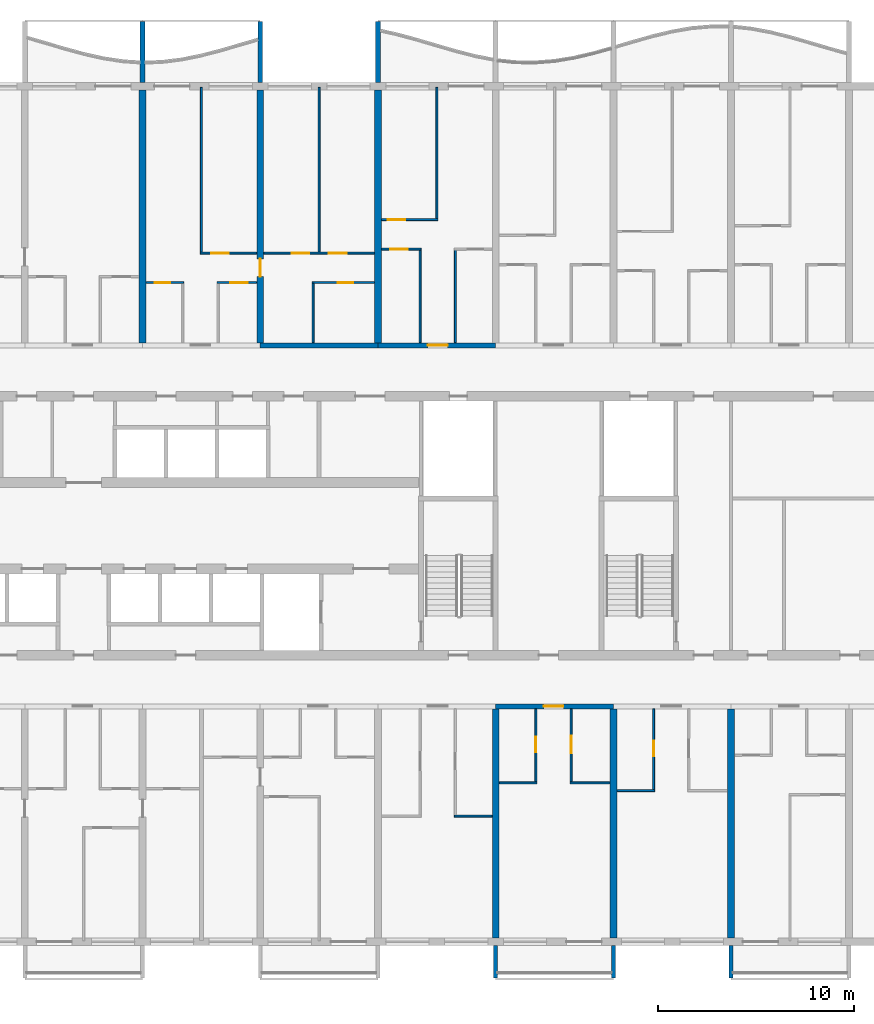
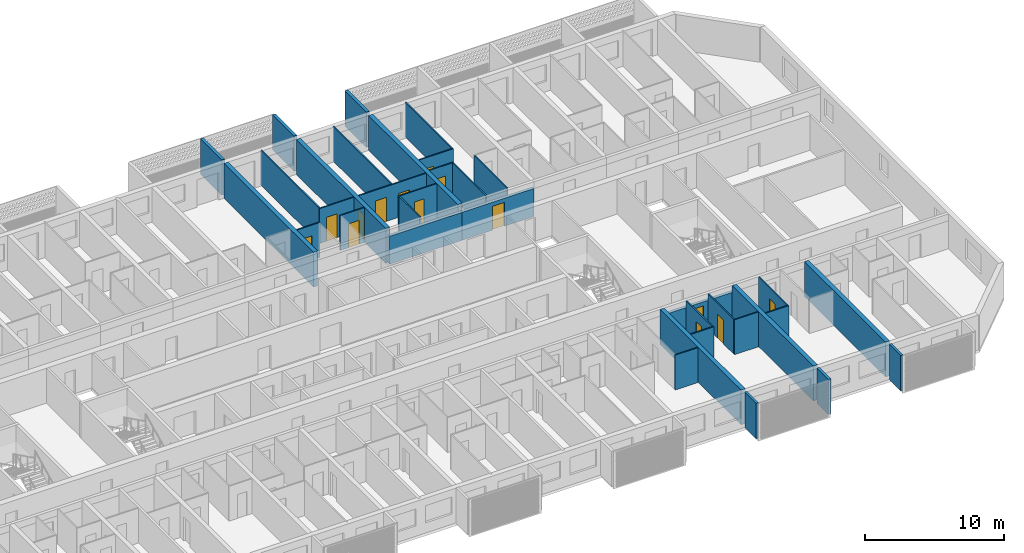
# One storey, part 13 of 26: 35 walls, 14 doors, 14 openings.
"""IFC4 building model written with IfcOpenShell, lengths in metres."""

from ifc_helpers import new_model, si_unit, direction, frame, frame_2d, origin, place, context, subcontext, project, spatial, polyline, rectangle, outline, extrude, source, transform, mapped, material, layer, layer_set, type_object, element, fill, save


model = new_model("IFC4")

# Units and contexts
model_context = context("Model", 3, precision=1e-05, world=origin(), true_north=direction((0.0, 1.0)))
body_context = subcontext(model_context, "Body", "Model", "MODEL_VIEW")
ifc_project = project(units=[si_unit("LENGTHUNIT", "METRE"), si_unit("AREAUNIT", "SQUARE_METRE"), si_unit("VOLUMEUNIT", "CUBIC_METRE"), si_unit("PLANEANGLEUNIT", "RADIAN"), si_unit("MASSUNIT", "GRAM", prefix="KILO")], contexts=[model_context])

# Site, building, storey
site_placement = place(None, origin())
site = spatial("IfcSite", under=ifc_project, at=site_placement, CompositionType="ELEMENT")
building_placement = place(site_placement, origin())
building = spatial("IfcBuilding", under=site, at=building_placement, Name="Poui Terraces", CompositionType="ELEMENT")
storey_placement = place(building_placement, frame((0.0, 0.0, 96.0)))
storey = spatial("IfcBuildingStorey", under=building, at=storey_placement, Name="L26", CompositionType="ELEMENT", Elevation=96.0)

# Wall, opening, door
ifc_material_1 = material(Name="Concrete 65 MPa", Category="concrete")
ifc_layer_1 = layer(ifc_material_1, 0.25)
ifc_layer_set_1 = layer_set([ifc_layer_1], Name="Concrete 65 MPa")
wall_type_1 = type_object("IfcWallType", Name="CORRIDOR WALL 250 65MPa", PredefinedType="SHEAR", material=ifc_layer_set_1)
wall_1_placement = place(storey_placement, frame((72.0, 12.0, 0.0), z_axis=(0.0, 0.0, 1.0), x_axis=(1.0, 0.0, 0.0)))
wall_1 = element("IfcWall", 1, at=wall_1_placement, inside=storey, type_object=wall_type_1, Name="CORRIDOR WALL LINE B BAY 12", PredefinedType="SHEAR", context=body_context, shape_type="SweptSolid", body=[
    extrude(rectangle(XDim=6.0, YDim=0.25, at=frame_2d((3.0, 0.0))), origin(), (0.0, 0.0, 1.0), 2.4599609375),
])
opening_1_placement = place(wall_1_placement, frame((2.449951171875, 0.0, 0.0)))
opening_1 = element("IfcOpeningElement", 2, at=opening_1_placement, cuts=wall_1, Name="Opening FD30S", PredefinedType="OPENING", context=body_context, shape_type="SweptSolid", body=[
    extrude(rectangle(XDim=1.0, YDim=2.10009765625, at=frame_2d((0.5, 1.050048828125))), frame((0.0, 0.135009765625, 0.0), z_axis=(0.0, -1.0, 0.0), x_axis=(1.0, 0.0, 0.0)), (0.0, 0.0, 1.0), 0.27001953125),
])
ifc_material_2 = material(Name="Steel fire door", Category="steel")
door_type_1 = type_object("IfcDoorType", Name="FLAT ENTRANCE DOOR 1000 X 2100", OperationType="NOTDEFINED", PredefinedType="DOOR", material=ifc_material_2)
door_1_placement = place(opening_1_placement, frame((1.0, 0.0, 0.0), z_axis=(0.0, 0.0, 1.0), x_axis=(-1.0, 0.0, 0.0)))
door_1 = element("IfcDoor", 3, at=door_1_placement, inside=storey, type_object=door_type_1, Name="FLAT ENTRANCE DOOR 122", OperationType="SINGLE_SWING_RIGHT", OverallHeight=2.10009765625, OverallWidth=1.0, PredefinedType="DOOR", context=body_context, shape_type="SweptSolid", body=[
    extrude(rectangle(XDim=1.0, YDim=2.10009765625, at=frame_2d((0.5, 1.050048828125))), frame((0.0, 0.02490234375, 0.0), z_axis=(0.0, -1.0, 0.0), x_axis=(1.0, 0.0, 0.0)), (0.0, 0.0, 1.0), 0.050048828125),
])
fill(opening_1, door_1)

# Wall
wall_2_placement = place(storey_placement, frame((60.0, 30.39990234375, 0.0), z_axis=(0.0, 0.0, 1.0), x_axis=(1.0, 0.0, 0.0)))
element("IfcWall", 4, at=wall_2_placement, inside=storey, type_object=wall_type_1, Name="CORRIDOR WALL LINE E BAY 10", PredefinedType="SHEAR", context=body_context, shape_type="SweptSolid", body=[
    extrude(rectangle(XDim=6.0, YDim=0.25, at=frame_2d((3.0, 0.0))), origin(), (0.0, 0.0, 1.0), 2.4599609375),
])

# Wall, opening, door
wall_3_placement = place(storey_placement, frame((66.0, 30.39990234375, 0.0), z_axis=(0.0, 0.0, 1.0), x_axis=(1.0, 0.0, 0.0)))
wall_3 = element("IfcWall", 5, at=wall_3_placement, inside=storey, type_object=wall_type_1, Name="CORRIDOR WALL LINE E BAY 11", PredefinedType="SHEAR", context=body_context, shape_type="SweptSolid", body=[
    extrude(rectangle(XDim=6.0, YDim=0.25, at=frame_2d((3.0, 0.0))), origin(), (0.0, 0.0, 1.0), 2.4599609375),
])
opening_2_placement = place(wall_3_placement, frame((2.550048828125, 0.0, 0.0)))
opening_2 = element("IfcOpeningElement", 6, at=opening_2_placement, cuts=wall_3, Name="Opening FD30S", PredefinedType="OPENING", context=body_context, shape_type="SweptSolid", body=[
    extrude(rectangle(XDim=1.0, YDim=2.10009765625, at=frame_2d((0.5, 1.050048828125))), frame((0.0, 0.135009765625, 0.0), z_axis=(0.0, -1.0, 0.0), x_axis=(1.0, 0.0, 0.0)), (0.0, 0.0, 1.0), 0.27001953125),
])
door_2_placement = place(opening_2_placement, origin())
door_2 = element("IfcDoor", 7, at=door_2_placement, inside=storey, type_object=door_type_1, Name="FLAT ENTRANCE DOOR 068", OperationType="SINGLE_SWING_RIGHT", OverallHeight=2.10009765625, OverallWidth=1.0, PredefinedType="DOOR", context=body_context, shape_type="SweptSolid", body=[
    extrude(rectangle(XDim=1.0, YDim=2.10009765625, at=frame_2d((0.5, 1.050048828125))), frame((0.0, 0.02490234375, 0.0), z_axis=(0.0, -1.0, 0.0), x_axis=(1.0, 0.0, 0.0)), (0.0, 0.0, 1.0), 0.050048828125),
])
fill(opening_2, door_2)

# Wall
ifc_layer_2 = layer(ifc_material_1, 0.35009765625)
ifc_layer_set_2 = layer_set([ifc_layer_2], Name="Concrete 65 MPa")
wall_type_2 = type_object("IfcWallType", Name="CROSS WALL 350 65MPa", PredefinedType="SHEAR", material=ifc_layer_set_2)
wall_4_placement = place(storey_placement, frame((54.0, 30.52490234375, 0.0), z_axis=(0.0, 0.0, 1.0), x_axis=(0.0, 1.0, 0.0)))
element("IfcWall", 8, at=wall_4_placement, inside=storey, type_object=wall_type_2, Name="CROSS WALL LINE 10 NORTH", PredefinedType="SHEAR", context=body_context, shape_type="SweptSolid", body=[
    extrude(rectangle(XDim=12.875, YDim=0.35009765625, at=frame_2d((6.4375, 0.0))), origin(), (0.0, 0.0, 1.0), 3.06005859375),
])

# Wall, opening, door
wall_5_placement = place(storey_placement, frame((60.0, 30.52490234375, 0.0), z_axis=(0.0, 0.0, 1.0), x_axis=(0.0, 1.0, 0.0)))
wall_5 = element("IfcWall", 9, at=wall_5_placement, inside=storey, type_object=wall_type_2, Name="CROSS WALL LINE 11 NORTH", PredefinedType="SHEAR", context=body_context, shape_type="SweptSolid", body=[
    extrude(rectangle(XDim=12.875, YDim=0.35009765625, at=frame_2d((6.4375, 0.0))), origin(), (0.0, 0.0, 1.0), 3.06005859375),
])
opening_3_placement = place(wall_5_placement, frame((3.375, 0.0, 0.0)))
opening_3 = element("IfcOpeningElement", 10, at=opening_3_placement, cuts=wall_5, Name="Opening D90", PredefinedType="OPENING", context=body_context, shape_type="SweptSolid", body=[
    extrude(rectangle(XDim=0.89990234375, YDim=2.10009765625, at=frame_2d((0.449951171875, 1.050048828125))), frame((0.0, 0.18505859375, 0.0), z_axis=(0.0, -1.0, 0.0), x_axis=(1.0, 0.0, 0.0)), (0.0, 0.0, 1.0), 0.3701171875),
])
ifc_material_3 = material(Name="Solid core timber door", Category="wood")
door_type_2 = type_object("IfcDoorType", Name="INTERNAL DOOR 900 X 2100", OperationType="NOTDEFINED", PredefinedType="DOOR", material=ifc_material_3)
door_3_placement = place(opening_3_placement, origin())
door_3 = element("IfcDoor", 11, at=door_3_placement, inside=storey, type_object=door_type_2, Name="INTERNAL DOOR 065", OperationType="SINGLE_SWING_LEFT", OverallHeight=2.10009765625, OverallWidth=0.89990234375, PredefinedType="DOOR", context=body_context, shape_type="SweptSolid", body=[
    extrude(rectangle(XDim=0.89990234375, YDim=2.10009765625, at=frame_2d((0.449951171875, 1.050048828125))), frame((0.0, 0.02490234375, 0.0), z_axis=(0.0, -1.0, 0.0), x_axis=(1.0, 0.0, 0.0)), (0.0, 0.0, 1.0), 0.050048828125),
])
fill(opening_3, door_3)

# Walls
wall_6_placement = place(storey_placement, frame((66.0, 30.52490234375, 0.0), z_axis=(0.0, 0.0, 1.0), x_axis=(0.0, 1.0, 0.0)))
element("IfcWall", 12, at=wall_6_placement, inside=storey, type_object=wall_type_2, Name="CROSS WALL LINE 12 NORTH", PredefinedType="SHEAR", context=body_context, shape_type="SweptSolid", body=[
    extrude(rectangle(XDim=12.875, YDim=0.35009765625, at=frame_2d((6.4375, 0.0))), origin(), (0.0, 0.0, 1.0), 3.06005859375),
])
for number, where, z_axis, x_axis, name in (
    (13, (72.0, 0.199951171875, 0.0), (0.0, 0.0, 1.0), (0.0, 1.0, 0.0), "CROSS WALL LINE 13 SOUTH"),
    (14, (78.0, 0.199951171875, 0.0), (0.0, 0.0, 1.0), (0.0, 1.0, 0.0), "CROSS WALL LINE 14 SOUTH"),
    (15, (84.0, 0.199951171875, 0.0), (0.0, 0.0, 1.0), (0.0, 1.0, 0.0), "CROSS WALL LINE 15 SOUTH"),
):
    element("IfcWall", number, at=place(storey_placement, frame(where, z_axis=z_axis, x_axis=x_axis)), inside=storey, type_object=wall_type_2, Name=name, PredefinedType="SHEAR", context=body_context, shape_type="SweptSolid", body=[
        extrude(rectangle(XDim=11.675048828125, YDim=0.35009765625, at=frame_2d((5.83740234375, 0.0))), origin(), (0.0, 0.0, 1.0), 3.06005859375),
    ])
ifc_material_4 = material(Name="Plasterboard partition")
ifc_layer_3 = layer(ifc_material_4, 0.10009765625)
ifc_layer_set_3 = layer_set([ifc_layer_3], Name="Plasterboard partition")
wall_type_3 = type_object("IfcWallType", Name="FLAT PARTITION 100", PredefinedType="PARTITIONING", material=ifc_layer_set_3)
for number, where, z_axis, x_axis, name in (
    (16, (69.89990234375, 6.39990234375, 0.0), (0.0, 0.0, 1.0), (1.0, 0.0, 0.0), "FLAT PARTITION 100"),
    (17, (78.18505859375, 7.699951171875, 0.0), (0.0, 0.0, 1.0), (1.0, 0.0, 0.0), "FLAT PARTITION 100"),
    (18, (72.18505859375, 8.10009765625, 0.0), (0.0, 0.0, 1.0), (1.0, 0.0, 0.0), "FLAT PARTITION 100"),
):
    element("IfcWall", number, at=place(storey_placement, frame(where, z_axis=z_axis, x_axis=x_axis)), inside=storey, type_object=wall_type_3, Name=name, PredefinedType="PARTITIONING", context=body_context, shape_type="SweptSolid", body=[
        extrude(rectangle(XDim=1.9150390625, YDim=0.10009765625, at=frame_2d((0.95751953125, 0.0))), origin(), (0.0, 0.0, 1.0), 3.06005859375),
    ])
wall_7_placement = place(storey_placement, frame((75.800048828125, 8.10009765625, 0.0), z_axis=(0.0, 0.0, 1.0), x_axis=(1.0, 0.0, 0.0)))
element("IfcWall", 19, at=wall_7_placement, inside=storey, type_object=wall_type_3, Name="FLAT PARTITION 100", PredefinedType="PARTITIONING", context=body_context, shape_type="SweptSolid", body=[
    extrude(rectangle(XDim=2.014892578125, YDim=0.10009765625, at=frame_2d((1.00732421875, 0.0))), origin(), (0.0, 0.0, 1.0), 3.06005859375),
])

# Wall, opening, door
wall_8_placement = place(storey_placement, frame((54.18505859375, 33.60009765625, 0.0), z_axis=(0.0, 0.0, 1.0), x_axis=(1.0, 0.0, 0.0)))
wall_8 = element("IfcWall", 20, at=wall_8_placement, inside=storey, type_object=wall_type_3, Name="FLAT PARTITION 100", PredefinedType="PARTITIONING", context=body_context, shape_type="SweptSolid", body=[
    extrude(rectangle(XDim=1.9150390625, YDim=0.10009765625, at=frame_2d((0.95751953125, 0.0))), origin(), (0.0, 0.0, 1.0), 3.06005859375),
])
opening_4_placement = place(wall_8_placement, frame((0.43994140625, 0.0, 0.0)))
opening_4 = element("IfcOpeningElement", 21, at=opening_4_placement, cuts=wall_8, Name="Opening D80", PredefinedType="OPENING", context=body_context, shape_type="SweptSolid", body=[
    extrude(rectangle(XDim=0.800048828125, YDim=2.10009765625, at=frame_2d((0.39990234375, 1.050048828125))), frame((0.0, 0.06005859375, 0.0), z_axis=(0.0, -1.0, 0.0), x_axis=(1.0, 0.0, 0.0)), (0.0, 0.0, 1.0), 0.1201171875),
])
door_type_3 = type_object("IfcDoorType", Name="BATHROOM, LAUNDRY AND STORE DOOR 800 X 2100", OperationType="NOTDEFINED", PredefinedType="DOOR", material=ifc_material_3)
door_4_placement = place(opening_4_placement, frame((0.800048828125, 0.0, 0.0), z_axis=(0.0, 0.0, 1.0), x_axis=(-1.0, 0.0, 0.0)))
door_4 = element("IfcDoor", 22, at=door_4_placement, inside=storey, type_object=door_type_3, Name="BATHROOM, LAUNDRY AND STORE DOOR 061", OperationType="SINGLE_SWING_LEFT", OverallHeight=2.10009765625, OverallWidth=0.800048828125, PredefinedType="DOOR", context=body_context, shape_type="SweptSolid", body=[
    extrude(rectangle(XDim=0.800048828125, YDim=2.10009765625, at=frame_2d((0.39990234375, 1.050048828125))), frame((0.0, 0.02490234375, 0.0), z_axis=(0.0, -1.0, 0.0), x_axis=(1.0, 0.0, 0.0)), (0.0, 0.0, 1.0), 0.050048828125),
])
fill(opening_4, door_4)

wall_9_placement = place(storey_placement, frame((57.800048828125, 33.60009765625, 0.0), z_axis=(0.0, 0.0, 1.0), x_axis=(1.0, 0.0, 0.0)))
wall_9 = element("IfcWall", 23, at=wall_9_placement, inside=storey, type_object=wall_type_3, Name="FLAT PARTITION 100", PredefinedType="PARTITIONING", context=body_context, shape_type="SweptSolid", body=[
    extrude(rectangle(XDim=2.014892578125, YDim=0.10009765625, at=frame_2d((1.00732421875, 0.0))), origin(), (0.0, 0.0, 1.0), 3.06005859375),
])
opening_5_placement = place(wall_9_placement, frame((0.675048828125, 0.0, 0.0)))
opening_5 = element("IfcOpeningElement", 24, at=opening_5_placement, cuts=wall_9, Name="Opening D90", PredefinedType="OPENING", context=body_context, shape_type="SweptSolid", body=[
    extrude(rectangle(XDim=0.89990234375, YDim=2.10009765625, at=frame_2d((0.449951171875, 1.050048828125))), frame((0.0, 0.06005859375, 0.0), z_axis=(0.0, -1.0, 0.0), x_axis=(1.0, 0.0, 0.0)), (0.0, 0.0, 1.0), 0.1201171875),
])
door_5_placement = place(opening_5_placement, frame((0.89990234375, 0.0, 0.0), z_axis=(0.0, 0.0, 1.0), x_axis=(-1.0, 0.0, 0.0)))
door_5 = element("IfcDoor", 25, at=door_5_placement, inside=storey, type_object=door_type_2, Name="INTERNAL DOOR 064", OperationType="SINGLE_SWING_RIGHT", OverallHeight=2.10009765625, OverallWidth=0.89990234375, PredefinedType="DOOR", context=body_context, shape_type="SweptSolid", body=[
    extrude(rectangle(XDim=0.89990234375, YDim=2.10009765625, at=frame_2d((0.449951171875, 1.050048828125))), frame((0.0, 0.02490234375, 0.0), z_axis=(0.0, -1.0, 0.0), x_axis=(1.0, 0.0, 0.0)), (0.0, 0.0, 1.0), 0.050048828125),
])
fill(opening_5, door_5)

wall_10_placement = place(storey_placement, frame((62.64990234375, 33.60009765625, 0.0), z_axis=(0.0, 0.0, 1.0), x_axis=(1.0, 0.0, 0.0)))
wall_10 = element("IfcWall", 26, at=wall_10_placement, inside=storey, type_object=wall_type_3, Name="FLAT PARTITION 100", PredefinedType="PARTITIONING", context=body_context, shape_type="SweptSolid", body=[
    extrude(rectangle(XDim=3.1650390625, YDim=0.10009765625, at=frame_2d((1.58251953125, 0.0))), origin(), (0.0, 0.0, 1.0), 3.06005859375),
])
opening_6_placement = place(wall_10_placement, frame((1.300048828125, 0.0, 0.0)))
opening_6 = element("IfcOpeningElement", 27, at=opening_6_placement, cuts=wall_10, Name="Opening D80", PredefinedType="OPENING", context=body_context, shape_type="SweptSolid", body=[
    extrude(rectangle(XDim=0.800048828125, YDim=2.10009765625, at=frame_2d((0.39990234375, 1.050048828125))), frame((0.0, 0.06005859375, 0.0), z_axis=(0.0, -1.0, 0.0), x_axis=(1.0, 0.0, 0.0)), (0.0, 0.0, 1.0), 0.1201171875),
])
door_6_placement = place(opening_6_placement, origin())
door_6 = element("IfcDoor", 28, at=door_6_placement, inside=storey, type_object=door_type_3, Name="BATHROOM, LAUNDRY AND STORE DOOR 060", OperationType="SINGLE_SWING_LEFT", OverallHeight=2.10009765625, OverallWidth=0.800048828125, PredefinedType="DOOR", context=body_context, shape_type="SweptSolid", body=[
    extrude(rectangle(XDim=0.800048828125, YDim=2.10009765625, at=frame_2d((0.39990234375, 1.050048828125))), frame((0.0, 0.02490234375, 0.0), z_axis=(0.0, -1.0, 0.0), x_axis=(1.0, 0.0, 0.0)), (0.0, 0.0, 1.0), 0.050048828125),
])
fill(opening_6, door_6)

wall_11_placement = place(storey_placement, frame((56.949951171875, 35.10009765625, 0.0), z_axis=(0.0, 0.0, 1.0), x_axis=(1.0, 0.0, 0.0)))
wall_11 = element("IfcWall", 29, at=wall_11_placement, inside=storey, type_object=wall_type_3, Name="FLAT PARTITION 100", PredefinedType="PARTITIONING", context=body_context, shape_type="SweptSolid", body=[
    extrude(rectangle(XDim=2.864990234375, YDim=0.10009765625, at=frame_2d((1.4326171875, 0.0))), origin(), (0.0, 0.0, 1.0), 3.06005859375),
])
opening_7_placement = place(wall_11_placement, frame((0.550048828125, 0.0, 0.0)))
opening_7 = element("IfcOpeningElement", 30, at=opening_7_placement, cuts=wall_11, Name="Opening D90", PredefinedType="OPENING", context=body_context, shape_type="SweptSolid", body=[
    extrude(rectangle(XDim=0.89990234375, YDim=2.10009765625, at=frame_2d((0.449951171875, 1.050048828125))), frame((0.0, 0.06005859375, 0.0), z_axis=(0.0, -1.0, 0.0), x_axis=(1.0, 0.0, 0.0)), (0.0, 0.0, 1.0), 0.1201171875),
])
door_7_placement = place(opening_7_placement, frame((0.89990234375, 0.0, 0.0), z_axis=(0.0, 0.0, 1.0), x_axis=(-1.0, 0.0, 0.0)))
door_7 = element("IfcDoor", 31, at=door_7_placement, inside=storey, type_object=door_type_2, Name="INTERNAL DOOR 063", OperationType="SINGLE_SWING_LEFT", OverallHeight=2.10009765625, OverallWidth=0.89990234375, PredefinedType="DOOR", context=body_context, shape_type="SweptSolid", body=[
    extrude(rectangle(XDim=0.89990234375, YDim=2.10009765625, at=frame_2d((0.449951171875, 1.050048828125))), frame((0.0, 0.02490234375, 0.0), z_axis=(0.0, -1.0, 0.0), x_axis=(1.0, 0.0, 0.0)), (0.0, 0.0, 1.0), 0.050048828125),
])
fill(opening_7, door_7)

# Wall, openings, doors
wall_12_placement = place(storey_placement, frame((60.18505859375, 35.10009765625, 0.0), z_axis=(0.0, 0.0, 1.0), x_axis=(1.0, 0.0, 0.0)))
wall_12 = element("IfcWall", 32, at=wall_12_placement, inside=storey, type_object=wall_type_3, Name="FLAT PARTITION 100", PredefinedType="PARTITIONING", context=body_context, shape_type="SweptSolid", body=[
    extrude(rectangle(XDim=5.6298828125, YDim=0.10009765625, at=frame_2d((2.81494140625, 0.0))), origin(), (0.0, 0.0, 1.0), 3.06005859375),
])
opening_8_placement = place(wall_12_placement, frame((1.4150390625, 0.0, 0.0)))
opening_8 = element("IfcOpeningElement", 33, at=opening_8_placement, cuts=wall_12, Name="Opening D90", PredefinedType="OPENING", context=body_context, shape_type="SweptSolid", body=[
    extrude(rectangle(XDim=0.89990234375, YDim=2.10009765625, at=frame_2d((0.449951171875, 1.050048828125))), frame((0.0, 0.06005859375, 0.0), z_axis=(0.0, -1.0, 0.0), x_axis=(1.0, 0.0, 0.0)), (0.0, 0.0, 1.0), 0.1201171875),
])
opening_9_placement = place(wall_12_placement, frame((3.31494140625, 0.0, 0.0)))
opening_9 = element("IfcOpeningElement", 34, at=opening_9_placement, cuts=wall_12, Name="Opening D90", PredefinedType="OPENING", context=body_context, shape_type="SweptSolid", body=[
    extrude(rectangle(XDim=0.89990234375, YDim=2.10009765625, at=frame_2d((0.449951171875, 1.050048828125))), frame((0.0, 0.06005859375, 0.0), z_axis=(0.0, -1.0, 0.0), x_axis=(1.0, 0.0, 0.0)), (0.0, 0.0, 1.0), 0.1201171875),
])
door_8_placement = place(opening_8_placement, origin())
door_8 = element("IfcDoor", 35, at=door_8_placement, inside=storey, type_object=door_type_2, Name="INTERNAL DOOR 058", OperationType="SINGLE_SWING_RIGHT", OverallHeight=2.10009765625, OverallWidth=0.89990234375, PredefinedType="DOOR", context=body_context, shape_type="SweptSolid", body=[
    extrude(rectangle(XDim=0.89990234375, YDim=2.10009765625, at=frame_2d((0.449951171875, 1.050048828125))), frame((0.0, 0.02490234375, 0.0), z_axis=(0.0, -1.0, 0.0), x_axis=(1.0, 0.0, 0.0)), (0.0, 0.0, 1.0), 0.050048828125),
])
fill(opening_8, door_8)
door_9_placement = place(opening_9_placement, origin())
door_9 = element("IfcDoor", 36, at=door_9_placement, inside=storey, type_object=door_type_2, Name="INTERNAL DOOR 059", OperationType="SINGLE_SWING_LEFT", OverallHeight=2.10009765625, OverallWidth=0.89990234375, PredefinedType="DOOR", context=body_context, shape_type="SweptSolid", body=[
    extrude(rectangle(XDim=0.89990234375, YDim=2.10009765625, at=frame_2d((0.449951171875, 1.050048828125))), frame((0.0, 0.02490234375, 0.0), z_axis=(0.0, -1.0, 0.0), x_axis=(1.0, 0.0, 0.0)), (0.0, 0.0, 1.0), 0.050048828125),
])
fill(opening_9, door_9)

# Wall, opening, door
wall_13_placement = place(storey_placement, frame((66.18505859375, 35.300048828125, 0.0), z_axis=(0.0, 0.0, 1.0), x_axis=(1.0, 0.0, 0.0)))
wall_13 = element("IfcWall", 37, at=wall_13_placement, inside=storey, type_object=wall_type_3, Name="FLAT PARTITION 100", PredefinedType="PARTITIONING", context=body_context, shape_type="SweptSolid", body=[
    extrude(rectangle(XDim=2.014892578125, YDim=0.10009765625, at=frame_2d((1.00732421875, 0.0))), origin(), (0.0, 0.0, 1.0), 3.06005859375),
])
opening_10_placement = place(wall_13_placement, frame((0.43994140625, 0.0, 0.0)))
opening_10 = element("IfcOpeningElement", 38, at=opening_10_placement, cuts=wall_13, Name="Opening D90", PredefinedType="OPENING", context=body_context, shape_type="SweptSolid", body=[
    extrude(rectangle(XDim=0.89990234375, YDim=2.10009765625, at=frame_2d((0.449951171875, 1.050048828125))), frame((0.0, 0.06005859375, 0.0), z_axis=(0.0, -1.0, 0.0), x_axis=(1.0, 0.0, 0.0)), (0.0, 0.0, 1.0), 0.1201171875),
])
door_10_placement = place(opening_10_placement, frame((0.89990234375, 0.0, 0.0), z_axis=(0.0, 0.0, 1.0), x_axis=(-1.0, 0.0, 0.0)))
door_10 = element("IfcDoor", 39, at=door_10_placement, inside=storey, type_object=door_type_2, Name="INTERNAL DOOR 067", OperationType="SINGLE_SWING_RIGHT", OverallHeight=2.10009765625, OverallWidth=0.89990234375, PredefinedType="DOOR", context=body_context, shape_type="SweptSolid", body=[
    extrude(rectangle(XDim=0.89990234375, YDim=2.10009765625, at=frame_2d((0.449951171875, 1.050048828125))), frame((0.0, 0.02490234375, 0.0), z_axis=(0.0, -1.0, 0.0), x_axis=(1.0, 0.0, 0.0)), (0.0, 0.0, 1.0), 0.050048828125),
])
fill(opening_10, door_10)

wall_14_placement = place(storey_placement, frame((66.18505859375, 36.800048828125, 0.0), z_axis=(0.0, 0.0, 1.0), x_axis=(1.0, 0.0, 0.0)))
wall_14 = element("IfcWall", 40, at=wall_14_placement, inside=storey, type_object=wall_type_3, Name="FLAT PARTITION 100", PredefinedType="PARTITIONING", context=body_context, shape_type="SweptSolid", body=[
    extrude(rectangle(XDim=2.864990234375, YDim=0.10009765625, at=frame_2d((1.4326171875, 0.0))), origin(), (0.0, 0.0, 1.0), 3.06005859375),
])
opening_11_placement = place(wall_14_placement, frame((0.31494140625, 0.0, 0.0)))
opening_11 = element("IfcOpeningElement", 41, at=opening_11_placement, cuts=wall_14, Name="Opening D90", PredefinedType="OPENING", context=body_context, shape_type="SweptSolid", body=[
    extrude(rectangle(XDim=0.89990234375, YDim=2.10009765625, at=frame_2d((0.449951171875, 1.050048828125))), frame((0.0, 0.06005859375, 0.0), z_axis=(0.0, -1.0, 0.0), x_axis=(1.0, 0.0, 0.0)), (0.0, 0.0, 1.0), 0.1201171875),
])
door_11_placement = place(opening_11_placement, frame((0.89990234375, 0.0, 0.0), z_axis=(0.0, 0.0, 1.0), x_axis=(-1.0, 0.0, 0.0)))
door_11 = element("IfcDoor", 42, at=door_11_placement, inside=storey, type_object=door_type_2, Name="INTERNAL DOOR 066", OperationType="SINGLE_SWING_LEFT", OverallHeight=2.10009765625, OverallWidth=0.89990234375, PredefinedType="DOOR", context=body_context, shape_type="SweptSolid", body=[
    extrude(rectangle(XDim=0.89990234375, YDim=2.10009765625, at=frame_2d((0.449951171875, 1.050048828125))), frame((0.0, 0.02490234375, 0.0), z_axis=(0.0, -1.0, 0.0), x_axis=(1.0, 0.0, 0.0)), (0.0, 0.0, 1.0), 0.050048828125),
])
fill(opening_11, door_11)

# Walls
wall_15_placement = place(storey_placement, frame((57.0, 35.14990234375, 0.0), z_axis=(0.0, 0.0, 1.0), x_axis=(0.0, 1.0, 0.0)))
element("IfcWall", 43, at=wall_15_placement, inside=storey, type_object=wall_type_3, Name="FLAT PARTITION 100", PredefinedType="PARTITIONING", context=body_context, shape_type="SweptSolid", body=[
    extrude(rectangle(XDim=8.39013671875, YDim=0.10009765625, at=frame_2d((4.195068359375, 0.0))), origin(), (0.0, 0.0, 1.0), 3.06005859375),
])
wall_16_placement = place(storey_placement, frame((62.699951171875, 30.534912109375, 0.0), z_axis=(0.0, 0.0, 1.0), x_axis=(0.0, 1.0, 0.0)))
element("IfcWall", 44, at=wall_16_placement, inside=storey, type_object=wall_type_3, Name="FLAT PARTITION 100", PredefinedType="PARTITIONING", context=body_context, shape_type="SweptSolid", body=[
    extrude(rectangle(XDim=3.01513671875, YDim=0.10009765625, at=frame_2d((1.507568359375, 0.0))), origin(), (0.0, 0.0, 1.0), 3.06005859375),
])
wall_17_placement = place(storey_placement, frame((63.0, 35.14990234375, 0.0), z_axis=(0.0, 0.0, 1.0), x_axis=(0.0, 1.0, 0.0)))
element("IfcWall", 45, at=wall_17_placement, inside=storey, type_object=wall_type_3, Name="FLAT PARTITION 100", PredefinedType="PARTITIONING", context=body_context, shape_type="SweptSolid", body=[
    extrude(rectangle(XDim=8.39013671875, YDim=0.10009765625, at=frame_2d((4.195068359375, 0.0))), origin(), (0.0, 0.0, 1.0), 3.06005859375),
])
wall_18_placement = place(storey_placement, frame((68.14990234375, 30.534912109375, 0.0), z_axis=(0.0, 0.0, 1.0), x_axis=(0.0, 1.0, 0.0)))
element("IfcWall", 46, at=wall_18_placement, inside=storey, type_object=wall_type_3, Name="FLAT PARTITION 100", PredefinedType="PARTITIONING", context=body_context, shape_type="SweptSolid", body=[
    extrude(rectangle(XDim=4.715087890625, YDim=0.10009765625, at=frame_2d((2.357421875, 0.0))), origin(), (0.0, 0.0, 1.0), 3.06005859375),
])
wall_19_placement = place(storey_placement, frame((69.0, 36.85009765625, 0.0), z_axis=(0.0, 0.0, 1.0), x_axis=(0.0, 1.0, 0.0)))
element("IfcWall", 47, at=wall_19_placement, inside=storey, type_object=wall_type_3, Name="FLAT PARTITION 100", PredefinedType="PARTITIONING", context=body_context, shape_type="SweptSolid", body=[
    extrude(rectangle(XDim=6.68994140625, YDim=0.10009765625, at=frame_2d((3.344970703125, 0.0))), origin(), (0.0, 0.0, 1.0), 3.06005859375),
])
wall_20_placement = place(storey_placement, frame((69.949951171875, 30.534912109375, 0.0), z_axis=(0.0, 0.0, 1.0), x_axis=(0.0, 1.0, 0.0)))
element("IfcWall", 48, at=wall_20_placement, inside=storey, type_object=wall_type_3, Name="FLAT PARTITION 100", PredefinedType="PARTITIONING", context=body_context, shape_type="SweptSolid", body=[
    extrude(rectangle(XDim=4.715087890625, YDim=0.10009765625, at=frame_2d((2.357421875, 0.0))), origin(), (0.0, 0.0, 1.0), 3.06005859375),
])

# Wall, opening, door
wall_21_placement = place(storey_placement, frame((74.050048828125, 8.14990234375, 0.0), z_axis=(0.0, 0.0, 1.0), x_axis=(0.0, 1.0, 0.0)))
wall_21 = element("IfcWall", 49, at=wall_21_placement, inside=storey, type_object=wall_type_3, Name="FLAT PARTITION 100", PredefinedType="PARTITIONING", context=body_context, shape_type="SweptSolid", body=[
    extrude(rectangle(XDim=3.715087890625, YDim=0.10009765625, at=frame_2d((1.857421875, 0.0))), origin(), (0.0, 0.0, 1.0), 3.06005859375),
])
opening_12_placement = place(wall_21_placement, frame((1.5, 0.0, 0.0)))
opening_12 = element("IfcOpeningElement", 50, at=opening_12_placement, cuts=wall_21, Name="Opening D80", PredefinedType="OPENING", context=body_context, shape_type="SweptSolid", body=[
    extrude(rectangle(XDim=0.800048828125, YDim=2.10009765625, at=frame_2d((0.39990234375, 1.050048828125))), frame((0.0, 0.06005859375, 0.0), z_axis=(0.0, -1.0, 0.0), x_axis=(1.0, 0.0, 0.0)), (0.0, 0.0, 1.0), 0.1201171875),
])
door_12_placement = place(opening_12_placement, origin())
door_12 = element("IfcDoor", 51, at=door_12_placement, inside=storey, type_object=door_type_3, Name="BATHROOM, LAUNDRY AND STORE DOOR 121", OperationType="SINGLE_SWING_RIGHT", OverallHeight=2.10009765625, OverallWidth=0.800048828125, PredefinedType="DOOR", context=body_context, shape_type="SweptSolid", body=[
    extrude(rectangle(XDim=0.800048828125, YDim=2.10009765625, at=frame_2d((0.39990234375, 1.050048828125))), frame((0.0, 0.02490234375, 0.0), z_axis=(0.0, -1.0, 0.0), x_axis=(1.0, 0.0, 0.0)), (0.0, 0.0, 1.0), 0.050048828125),
])
fill(opening_12, door_12)

wall_22_placement = place(storey_placement, frame((75.85009765625, 8.14990234375, 0.0), z_axis=(0.0, 0.0, 1.0), x_axis=(0.0, 1.0, 0.0)))
wall_22 = element("IfcWall", 52, at=wall_22_placement, inside=storey, type_object=wall_type_3, Name="FLAT PARTITION 100", PredefinedType="PARTITIONING", context=body_context, shape_type="SweptSolid", body=[
    extrude(rectangle(XDim=3.715087890625, YDim=0.10009765625, at=frame_2d((1.857421875, 0.0))), origin(), (0.0, 0.0, 1.0), 3.06005859375),
])
opening_13_placement = place(wall_22_placement, frame((1.449951171875, 0.0, 0.0)))
opening_13 = element("IfcOpeningElement", 53, at=opening_13_placement, cuts=wall_22, Name="Opening D90", PredefinedType="OPENING", context=body_context, shape_type="SweptSolid", body=[
    extrude(rectangle(XDim=0.89990234375, YDim=2.10009765625, at=frame_2d((0.449951171875, 1.050048828125))), frame((0.0, 0.06005859375, 0.0), z_axis=(0.0, -1.0, 0.0), x_axis=(1.0, 0.0, 0.0)), (0.0, 0.0, 1.0), 0.1201171875),
])
door_13_placement = place(opening_13_placement, frame((0.89990234375, 0.0, 0.0), z_axis=(0.0, 0.0, 1.0), x_axis=(-1.0, 0.0, 0.0)))
door_13 = element("IfcDoor", 54, at=door_13_placement, inside=storey, type_object=door_type_2, Name="INTERNAL DOOR 123", OperationType="SINGLE_SWING_RIGHT", OverallHeight=2.10009765625, OverallWidth=0.89990234375, PredefinedType="DOOR", context=body_context, shape_type="SweptSolid", body=[
    extrude(rectangle(XDim=0.89990234375, YDim=2.10009765625, at=frame_2d((0.449951171875, 1.050048828125))), frame((0.0, 0.02490234375, 0.0), z_axis=(0.0, -1.0, 0.0), x_axis=(1.0, 0.0, 0.0)), (0.0, 0.0, 1.0), 0.050048828125),
])
fill(opening_13, door_13)

wall_23_placement = place(storey_placement, frame((80.050048828125, 7.75, 0.0), z_axis=(0.0, 0.0, 1.0), x_axis=(0.0, 1.0, 0.0)))
wall_23 = element("IfcWall", 55, at=wall_23_placement, inside=storey, type_object=wall_type_3, Name="FLAT PARTITION 100", PredefinedType="PARTITIONING", context=body_context, shape_type="SweptSolid", body=[
    extrude(rectangle(XDim=4.114990234375, YDim=0.10009765625, at=frame_2d((2.0576171875, 0.0))), origin(), (0.0, 0.0, 1.0), 3.06005859375),
])
opening_14_placement = place(wall_23_placement, frame((1.699951171875, 0.0, 0.0)))
opening_14 = element("IfcOpeningElement", 56, at=opening_14_placement, cuts=wall_23, Name="Opening D80", PredefinedType="OPENING", context=body_context, shape_type="SweptSolid", body=[
    extrude(rectangle(XDim=0.800048828125, YDim=2.10009765625, at=frame_2d((0.39990234375, 1.050048828125))), frame((0.0, 0.06005859375, 0.0), z_axis=(0.0, -1.0, 0.0), x_axis=(1.0, 0.0, 0.0)), (0.0, 0.0, 1.0), 0.1201171875),
])
door_14_placement = place(opening_14_placement, origin())
door_14 = element("IfcDoor", 57, at=door_14_placement, inside=storey, type_object=door_type_3, Name="BATHROOM, LAUNDRY AND STORE DOOR 124", OperationType="SINGLE_SWING_LEFT", OverallHeight=2.10009765625, OverallWidth=0.800048828125, PredefinedType="DOOR", context=body_context, shape_type="SweptSolid", body=[
    extrude(rectangle(XDim=0.800048828125, YDim=2.10009765625, at=frame_2d((0.39990234375, 1.050048828125))), frame((0.0, 0.02490234375, 0.0), z_axis=(0.0, -1.0, 0.0), x_axis=(1.0, 0.0, 0.0)), (0.0, 0.0, 1.0), 0.050048828125),
])
fill(opening_14, door_14)

# Walls
ifc_material_5 = material(Name="Precast concrete 40 MPa", Category="concrete")
ifc_layer_4 = layer(ifc_material_5, 0.199951171875)
ifc_layer_set_4 = layer_set([ifc_layer_4], Name="Precast concrete 40 MPa")
wall_type_4 = type_object("IfcWallType", Name="REAR FIN 200", PredefinedType="STANDARD", material=ifc_layer_set_4)
shared_shape_1 = source(origin(), body_context, "Body", "SweptSolid", [
    extrude(outline(polyline([(0.0, 0.0), (0.2001953125, 0.0), (0.2001953125, 1.650146484375), (0.0, 1.650146484375), (0.0, 0.0)])), origin(), (0.0, 0.0, 1.0), 3.10009765625),
])
for number, where, name in (
    (58, (71.89990234375, -1.85009765625, 0.0), "REAR FIN"),
    (59, (77.89990234375, -1.85009765625, 0.0), "REAR FIN"),
    (60, (83.89990234375, -1.85009765625, 0.0), "REAR FIN"),
):
    element("IfcWall", number, at=place(storey_placement, frame(where)), inside=storey, type_object=wall_type_4, Name=name, PredefinedType="STANDARD", context=body_context, shape_type="MappedRepresentation", body=[
        mapped(shared_shape_1, transform((0.0, 0.0, 0.0))),
    ])
ifc_layer_5 = layer(ifc_material_5, 0.25)
ifc_layer_set_5 = layer_set([ifc_layer_5], Name="Precast concrete 40 MPa")
wall_type_5 = type_object("IfcWallType", Name="BALCONY FIN 250", PredefinedType="STANDARD", material=ifc_layer_set_5)
shared_shape_2 = source(origin(), body_context, "Body", "SweptSolid", [
    extrude(outline(polyline([(0.0, 0.0), (0.25, 0.0), (0.25, 3.099853515625), (0.0, 3.099853515625), (0.0, 0.0)])), origin(), (0.0, 0.0, 1.0), 3.10009765625),
])
for number, where, name in (
    (61, (53.875, 43.800048828125, 0.0), "BALCONY FIN"),
    (62, (59.875, 43.800048828125, 0.0), "BALCONY FIN"),
    (63, (65.875, 43.800048828125, 0.0), "BALCONY FIN"),
):
    element("IfcWall", number, at=place(storey_placement, frame(where)), inside=storey, type_object=wall_type_5, Name=name, PredefinedType="STANDARD", context=body_context, shape_type="MappedRepresentation", body=[
        mapped(shared_shape_2, transform((0.0, 0.0, 0.0))),
    ])

save(model, "model.ifc")
